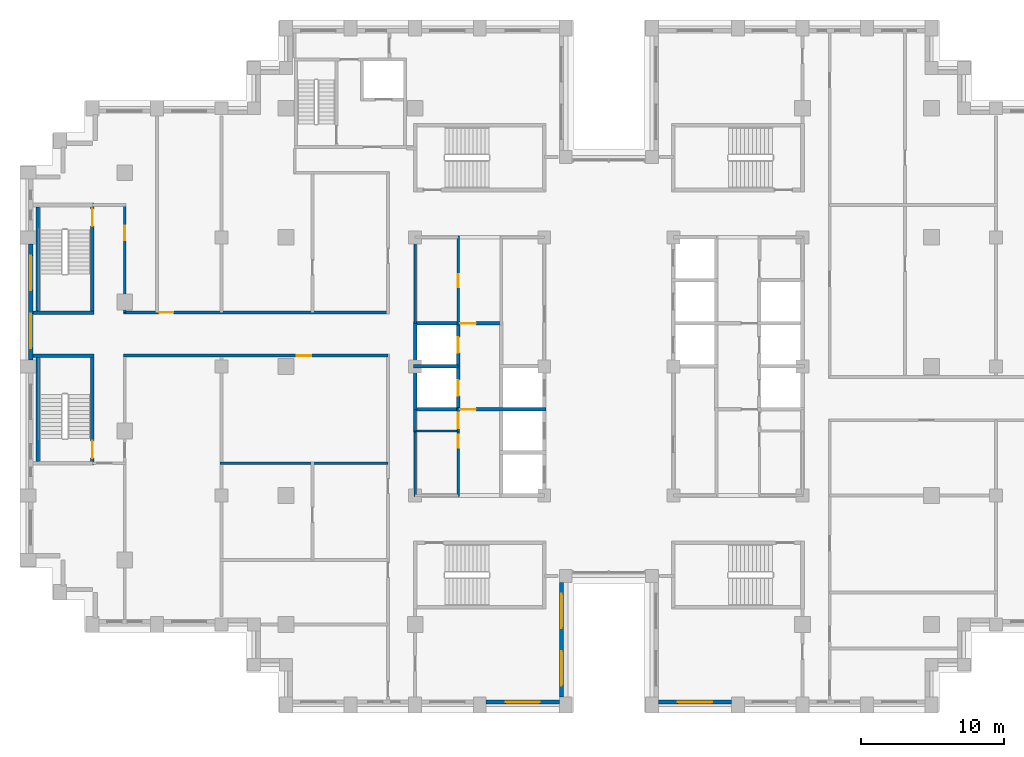
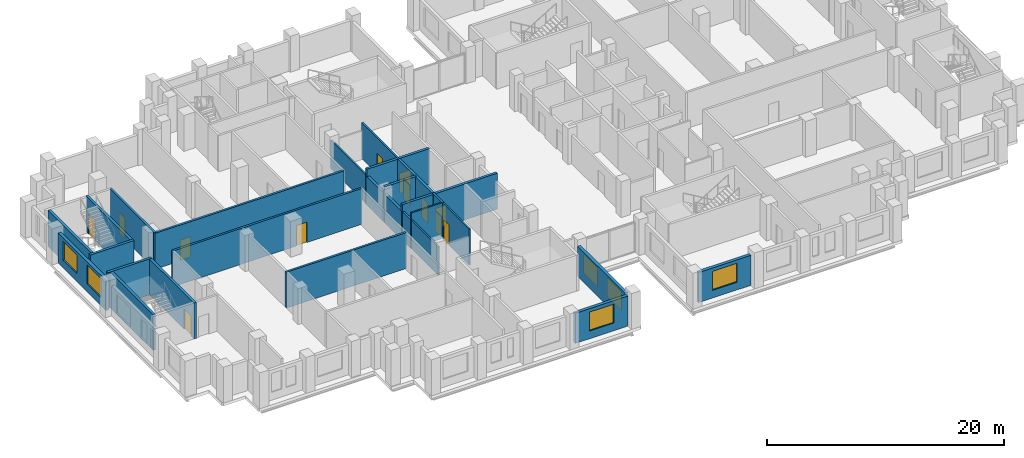
# One storey, part 7 of 15: 26 walls, 12 doors, 6 windows, 18 openings.
"""IFC4 building model written with IfcOpenShell, lengths in metres."""

from ifc_helpers import new_model, si_unit, direction, frame, frame_2d, origin, place, context, subcontext, project, spatial, rectangle, extrude, material, layer, layer_set, type_object, element, fill, save


model = new_model("IFC4")

# Units and contexts
model_context = context("Model", 3, precision=1e-05, world=origin(), true_north=direction((0.0, 1.0)))
body_context = subcontext(model_context, "Body", "Model", "MODEL_VIEW")
ifc_project = project(units=[si_unit("LENGTHUNIT", "METRE"), si_unit("AREAUNIT", "SQUARE_METRE"), si_unit("VOLUMEUNIT", "CUBIC_METRE"), si_unit("PLANEANGLEUNIT", "RADIAN"), si_unit("MASSUNIT", "GRAM", prefix="KILO")], contexts=[model_context])

# Site, building, storey
site_placement = place(None, origin())
site = spatial("IfcSite", under=ifc_project, at=site_placement, CompositionType="ELEMENT")
building_placement = place(site_placement, origin())
building = spatial("IfcBuilding", under=site, at=building_placement, Name="Corbelhall Arena Tower", CompositionType="ELEMENT")
storey_placement = place(building_placement, frame((0.0, 0.0, 166.0)))
storey = spatial("IfcBuildingStorey", under=building, at=storey_placement, Name="L33", CompositionType="ELEMENT", Elevation=166.0)

# Wall, openings, windows
ifc_material_1 = material(Name="Precast concrete C40/50 with granite facing", Category="masonry")
ifc_layer_1 = layer(ifc_material_1, 0.300048828125)
ifc_layer_set_1 = layer_set([ifc_layer_1], Name="EV-IW1 Infill panel 300")
wall_type_1 = type_object("IfcWallType", Name="EV-IW1 Infill panel 300", PredefinedType="SOLIDWALL", material=ifc_layer_set_1)
wall_1_placement = place(storey_placement, frame((-40.300048828125, 8.550048828125, 0.0), z_axis=(0.0, 0.0, 1.0), x_axis=(0.0, -1.0, 0.0)))
wall_1 = element("IfcWall", 1, at=wall_1_placement, inside=storey, type_object=wall_type_1, Name="Infill panel IW1", PredefinedType="SOLIDWALL", context=body_context, shape_type="SweptSolid", body=[
    extrude(rectangle(XDim=8.10009765625, YDim=0.300048828125, at=frame_2d((4.050048828125, 0.0))), origin(), (0.0, 0.0, 1.0), 3.10009765625),
])
opening_1_placement = place(wall_1_placement, frame((0.824951171875, 0.0, 0.800048828125)))
opening_1 = element("IfcOpeningElement", 2, at=opening_1_placement, cuts=wall_1, Name="Opening WN1", PredefinedType="OPENING", context=body_context, shape_type="SweptSolid", body=[
    extrude(rectangle(XDim=2.39990234375, YDim=1.949951171875, at=frame_2d((1.199951171875, 0.97509765625))), frame((0.0, 0.14990234375, 0.0), z_axis=(0.0, -1.0, 0.0), x_axis=(1.0, 0.0, 0.0)), (0.0, 0.0, 1.0), 0.300048828125),
])
opening_2_placement = place(wall_1_placement, frame((4.875, 0.0, 0.800048828125)))
opening_2 = element("IfcOpeningElement", 3, at=opening_2_placement, cuts=wall_1, Name="Opening WN1", PredefinedType="OPENING", context=body_context, shape_type="SweptSolid", body=[
    extrude(rectangle(XDim=2.39990234375, YDim=1.949951171875, at=frame_2d((1.199951171875, 0.97509765625))), frame((0.0, 0.14990234375, 0.0), z_axis=(0.0, -1.0, 0.0), x_axis=(1.0, 0.0, 0.0)), (0.0, 0.0, 1.0), 0.300048828125),
])
ifc_material_2 = material(Name="Aluminium black anodised", Category="aluminium")
window_type = type_object("IfcWindowType", Name="EV-WN1 Office window", PartitioningType="SINGLE_PANEL", PredefinedType="WINDOW", material=ifc_material_2)
window_1_placement = place(opening_1_placement, origin())
window_1 = element("IfcWindow", 4, at=window_1_placement, inside=storey, type_object=window_type, Name="Window WN1", OverallHeight=1.949951171875, OverallWidth=2.39990234375, PartitioningType="SINGLE_PANEL", PredefinedType="WINDOW", context=body_context, shape_type="SweptSolid", body=[
    extrude(rectangle(XDim=2.39990234375, YDim=1.949951171875, at=frame_2d((1.199951171875, 0.97509765625))), frame((0.0, 0.030029296875, 0.0), z_axis=(0.0, -1.0, 0.0), x_axis=(1.0, 0.0, 0.0)), (0.0, 0.0, 1.0), 0.06005859375),
])
fill(opening_1, window_1)
window_2_placement = place(opening_2_placement, origin())
window_2 = element("IfcWindow", 5, at=window_2_placement, inside=storey, type_object=window_type, Name="Window WN1", OverallHeight=1.949951171875, OverallWidth=2.39990234375, PartitioningType="SINGLE_PANEL", PredefinedType="WINDOW", context=body_context, shape_type="SweptSolid", body=[
    extrude(rectangle(XDim=2.39990234375, YDim=1.949951171875, at=frame_2d((1.199951171875, 0.97509765625))), frame((0.0, 0.030029296875, 0.0), z_axis=(0.0, -1.0, 0.0), x_axis=(1.0, 0.0, 0.0)), (0.0, 0.0, 1.0), 0.06005859375),
])
fill(opening_2, window_2)

# Wall, opening, window
wall_2_placement = place(storey_placement, frame((-8.550048828125, -23.39990234375, 0.0), z_axis=(0.0, 0.0, 1.0), x_axis=(1.0, 0.0, 0.0)))
wall_2 = element("IfcWall", 6, at=wall_2_placement, inside=storey, type_object=wall_type_1, Name="Infill panel IW1", PredefinedType="SOLIDWALL", context=body_context, shape_type="SweptSolid", body=[
    extrude(rectangle(XDim=5.10009765625, YDim=0.300048828125, at=frame_2d((2.550048828125, 0.0))), origin(), (0.0, 0.0, 1.0), 3.10009765625),
])
opening_3_placement = place(wall_2_placement, frame((1.35009765625, 0.0, 0.800048828125)))
opening_3 = element("IfcOpeningElement", 7, at=opening_3_placement, cuts=wall_2, Name="Opening WN1", PredefinedType="OPENING", context=body_context, shape_type="SweptSolid", body=[
    extrude(rectangle(XDim=2.39990234375, YDim=1.949951171875, at=frame_2d((1.199951171875, 0.97509765625))), frame((0.0, 0.14990234375, 0.0), z_axis=(0.0, -1.0, 0.0), x_axis=(1.0, 0.0, 0.0)), (0.0, 0.0, 1.0), 0.300048828125),
])
window_3_placement = place(opening_3_placement, origin())
window_3 = element("IfcWindow", 8, at=window_3_placement, inside=storey, type_object=window_type, Name="Window WN1", OverallHeight=1.949951171875, OverallWidth=2.39990234375, PartitioningType="SINGLE_PANEL", PredefinedType="WINDOW", context=body_context, shape_type="SweptSolid", body=[
    extrude(rectangle(XDim=2.39990234375, YDim=1.949951171875, at=frame_2d((1.199951171875, 0.97509765625))), frame((0.0, 0.030029296875, 0.0), z_axis=(0.0, -1.0, 0.0), x_axis=(1.0, 0.0, 0.0)), (0.0, 0.0, 1.0), 0.06005859375),
])
fill(opening_3, window_3)

# Wall, openings, windows
wall_3_placement = place(storey_placement, frame((-3.300048828125, -23.050048828125, 0.0), z_axis=(0.0, 0.0, 1.0), x_axis=(0.0, 1.0, 0.0)))
wall_3 = element("IfcWall", 9, at=wall_3_placement, inside=storey, type_object=wall_type_1, Name="Infill panel IW1", PredefinedType="SOLIDWALL", context=body_context, shape_type="SweptSolid", body=[
    extrude(rectangle(XDim=8.0, YDim=0.300048828125, at=frame_2d((4.0, 0.0))), origin(), (0.0, 0.0, 1.0), 3.10009765625),
])
opening_4_placement = place(wall_3_placement, frame((0.800048828125, 0.0, 0.800048828125)))
opening_4 = element("IfcOpeningElement", 10, at=opening_4_placement, cuts=wall_3, Name="Opening WN1", PredefinedType="OPENING", context=body_context, shape_type="SweptSolid", body=[
    extrude(rectangle(XDim=2.39990234375, YDim=1.949951171875, at=frame_2d((1.199951171875, 0.97509765625))), frame((0.0, 0.14990234375, 0.0), z_axis=(0.0, -1.0, 0.0), x_axis=(1.0, 0.0, 0.0)), (0.0, 0.0, 1.0), 0.300048828125),
])
opening_5_placement = place(wall_3_placement, frame((4.800048828125, 0.0, 0.800048828125)))
opening_5 = element("IfcOpeningElement", 11, at=opening_5_placement, cuts=wall_3, Name="Opening WN1", PredefinedType="OPENING", context=body_context, shape_type="SweptSolid", body=[
    extrude(rectangle(XDim=2.39990234375, YDim=1.949951171875, at=frame_2d((1.199951171875, 0.97509765625))), frame((0.0, 0.14990234375, 0.0), z_axis=(0.0, -1.0, 0.0), x_axis=(1.0, 0.0, 0.0)), (0.0, 0.0, 1.0), 0.300048828125),
])
window_4_placement = place(opening_4_placement, origin())
window_4 = element("IfcWindow", 12, at=window_4_placement, inside=storey, type_object=window_type, Name="Window WN1", OverallHeight=1.949951171875, OverallWidth=2.39990234375, PartitioningType="SINGLE_PANEL", PredefinedType="WINDOW", context=body_context, shape_type="SweptSolid", body=[
    extrude(rectangle(XDim=2.39990234375, YDim=1.949951171875, at=frame_2d((1.199951171875, 0.97509765625))), frame((0.0, 0.030029296875, 0.0), z_axis=(0.0, -1.0, 0.0), x_axis=(1.0, 0.0, 0.0)), (0.0, 0.0, 1.0), 0.06005859375),
])
fill(opening_4, window_4)
window_5_placement = place(opening_5_placement, origin())
window_5 = element("IfcWindow", 13, at=window_5_placement, inside=storey, type_object=window_type, Name="Window WN1", OverallHeight=1.949951171875, OverallWidth=2.39990234375, PartitioningType="SINGLE_PANEL", PredefinedType="WINDOW", context=body_context, shape_type="SweptSolid", body=[
    extrude(rectangle(XDim=2.39990234375, YDim=1.949951171875, at=frame_2d((1.199951171875, 0.97509765625))), frame((0.0, 0.030029296875, 0.0), z_axis=(0.0, -1.0, 0.0), x_axis=(1.0, 0.0, 0.0)), (0.0, 0.0, 1.0), 0.06005859375),
])
fill(opening_5, window_5)

# Wall, opening, window
wall_4_placement = place(storey_placement, frame((3.449951171875, -23.39990234375, 0.0), z_axis=(0.0, 0.0, 1.0), x_axis=(1.0, 0.0, 0.0)))
wall_4 = element("IfcWall", 14, at=wall_4_placement, inside=storey, type_object=wall_type_1, Name="Infill panel IW1", PredefinedType="SOLIDWALL", context=body_context, shape_type="SweptSolid", body=[
    extrude(rectangle(XDim=5.10009765625, YDim=0.300048828125, at=frame_2d((2.550048828125, 0.0))), origin(), (0.0, 0.0, 1.0), 3.10009765625),
])
opening_6_placement = place(wall_4_placement, frame((1.35009765625, 0.0, 0.800048828125)))
opening_6 = element("IfcOpeningElement", 15, at=opening_6_placement, cuts=wall_4, Name="Opening WN1", PredefinedType="OPENING", context=body_context, shape_type="SweptSolid", body=[
    extrude(rectangle(XDim=2.39990234375, YDim=1.949951171875, at=frame_2d((1.199951171875, 0.97509765625))), frame((0.0, 0.14990234375, 0.0), z_axis=(0.0, -1.0, 0.0), x_axis=(1.0, 0.0, 0.0)), (0.0, 0.0, 1.0), 0.300048828125),
])
window_6_placement = place(opening_6_placement, origin())
window_6 = element("IfcWindow", 16, at=window_6_placement, inside=storey, type_object=window_type, Name="Window WN1", OverallHeight=1.949951171875, OverallWidth=2.39990234375, PartitioningType="SINGLE_PANEL", PredefinedType="WINDOW", context=body_context, shape_type="SweptSolid", body=[
    extrude(rectangle(XDim=2.39990234375, YDim=1.949951171875, at=frame_2d((1.199951171875, 0.97509765625))), frame((0.0, 0.030029296875, 0.0), z_axis=(0.0, -1.0, 0.0), x_axis=(1.0, 0.0, 0.0)), (0.0, 0.0, 1.0), 0.06005859375),
])
fill(opening_6, window_6)

# Wall, opening, door
ifc_material_3 = material(Name="Gypsum board on steel stud, acoustic", Category="steel")
ifc_layer_2 = layer(ifc_material_3, 0.199951171875)
ifc_layer_set_2 = layer_set([ifc_layer_2], Name="IN-W-DM200")
wall_type_2 = type_object("IfcWallType", Name="IN-W-DM200", PredefinedType="PARTITIONING", material=ifc_layer_set_2)
wall_5_placement = place(storey_placement, frame((-33.85009765625, 3.75, 0.0), z_axis=(0.0, 0.0, 1.0), x_axis=(1.0, 0.0, 0.0)))
wall_5 = element("IfcWall", 17, at=wall_5_placement, inside=storey, type_object=wall_type_2, Name="Partition 002", PredefinedType="PARTITIONING", context=body_context, shape_type="SweptSolid", body=[
    extrude(rectangle(XDim=18.4501953125, YDim=0.199951171875, at=frame_2d((9.22509765625, 0.0))), origin(), (0.0, 0.0, 1.0), 3.699951171875),
])
opening_7_placement = place(wall_5_placement, frame((2.5, 0.0, 0.0)))
opening_7 = element("IfcOpeningElement", 18, at=opening_7_placement, cuts=wall_5, Name="Opening 09040", PredefinedType="OPENING", context=body_context, shape_type="SweptSolid", body=[
    extrude(rectangle(XDim=1.0, YDim=2.10009765625, at=frame_2d((0.5, 1.050048828125))), frame((0.0, 0.10009765625, 0.0), z_axis=(0.0, -1.0, 0.0), x_axis=(1.0, 0.0, 0.0)), (0.0, 0.0, 1.0), 0.199951171875),
])
ifc_material_4 = material(Name="Steel door set", Category="steel")
door_type_1 = type_object("IfcDoorType", Name="IN-D-SW100", OperationType="NOTDEFINED", PredefinedType="DOOR", material=ifc_material_4)
door_1_placement = place(opening_7_placement, origin())
door_1 = element("IfcDoor", 19, at=door_1_placement, inside=storey, type_object=door_type_1, Name="Door 040", OperationType="SINGLE_SWING_LEFT", OverallHeight=2.10009765625, OverallWidth=1.0, PredefinedType="DOOR", context=body_context, shape_type="SweptSolid", body=[
    extrude(rectangle(XDim=1.0, YDim=2.10009765625, at=frame_2d((0.5, 1.050048828125))), frame((0.0, 0.02490234375, 0.0), z_axis=(0.0, -1.0, 0.0), x_axis=(1.0, 0.0, 0.0)), (0.0, 0.0, 1.0), 0.050048828125),
])
fill(opening_7, door_1)

wall_6_placement = place(storey_placement, frame((-33.75, 11.25, 0.0), z_axis=(0.0, 0.0, 1.0), x_axis=(0.0, -1.0, 0.0)))
wall_6 = element("IfcWall", 20, at=wall_6_placement, inside=storey, type_object=wall_type_2, Name="Partition 004", PredefinedType="PARTITIONING", context=body_context, shape_type="SweptSolid", body=[
    extrude(rectangle(XDim=7.5, YDim=0.199951171875, at=frame_2d((3.75, 0.0))), origin(), (0.0, 0.0, 1.0), 3.699951171875),
])
opening_8_placement = place(wall_6_placement, frame((1.449951171875, 0.0, 0.0)))
opening_8 = element("IfcOpeningElement", 21, at=opening_8_placement, cuts=wall_6, Name="Opening 09039", PredefinedType="OPENING", context=body_context, shape_type="SweptSolid", body=[
    extrude(rectangle(XDim=1.0, YDim=2.10009765625, at=frame_2d((0.5, 1.050048828125))), frame((0.0, 0.10009765625, 0.0), z_axis=(0.0, -1.0, 0.0), x_axis=(1.0, 0.0, 0.0)), (0.0, 0.0, 1.0), 0.199951171875),
])
door_2_placement = place(opening_8_placement, origin())
door_2 = element("IfcDoor", 22, at=door_2_placement, inside=storey, type_object=door_type_1, Name="Door 039", OperationType="SINGLE_SWING_RIGHT", OverallHeight=2.10009765625, OverallWidth=1.0, PredefinedType="DOOR", context=body_context, shape_type="SweptSolid", body=[
    extrude(rectangle(XDim=1.0, YDim=2.10009765625, at=frame_2d((0.5, 1.050048828125))), frame((0.0, 0.02490234375, 0.0), z_axis=(0.0, -1.0, 0.0), x_axis=(1.0, 0.0, 0.0)), (0.0, 0.0, 1.0), 0.050048828125),
])
fill(opening_8, door_2)

# Wall
wall_7_placement = place(storey_placement, frame((-27.10009765625, -6.75, 0.0), z_axis=(0.0, 0.0, 1.0), x_axis=(1.0, 0.0, 0.0)))
element("IfcWall", 23, at=wall_7_placement, inside=storey, type_object=wall_type_2, Name="Partition 008", PredefinedType="PARTITIONING", context=body_context, shape_type="SweptSolid", body=[
    extrude(rectangle(XDim=11.7001953125, YDim=0.199951171875, at=frame_2d((5.85009765625, 0.0))), origin(), (0.0, 0.0, 1.0), 3.699951171875),
])

# Wall, opening, door
wall_8_placement = place(storey_placement, frame((-15.39990234375, 0.75, 0.0), z_axis=(0.0, 0.0, 1.0), x_axis=(-1.0, 0.0, 0.0)))
wall_8 = element("IfcWall", 24, at=wall_8_placement, inside=storey, type_object=wall_type_2, Name="Partition 011", PredefinedType="PARTITIONING", context=body_context, shape_type="SweptSolid", body=[
    extrude(rectangle(XDim=18.4501953125, YDim=0.199951171875, at=frame_2d((9.22509765625, 0.0))), origin(), (0.0, 0.0, 1.0), 3.699951171875),
])
opening_9_placement = place(wall_8_placement, frame((5.35009765625, 0.0, 0.0)))
opening_9 = element("IfcOpeningElement", 25, at=opening_9_placement, cuts=wall_8, Name="Opening 09030", PredefinedType="OPENING", context=body_context, shape_type="SweptSolid", body=[
    extrude(rectangle(XDim=1.0, YDim=2.10009765625, at=frame_2d((0.5, 1.050048828125))), frame((0.0, 0.10009765625, 0.0), z_axis=(0.0, -1.0, 0.0), x_axis=(1.0, 0.0, 0.0)), (0.0, 0.0, 1.0), 0.199951171875),
])
door_3_placement = place(opening_9_placement, origin())
door_3 = element("IfcDoor", 26, at=door_3_placement, inside=storey, type_object=door_type_1, Name="Door 030", OperationType="SINGLE_SWING_LEFT", OverallHeight=2.10009765625, OverallWidth=1.0, PredefinedType="DOOR", context=body_context, shape_type="SweptSolid", body=[
    extrude(rectangle(XDim=1.0, YDim=2.10009765625, at=frame_2d((0.5, 1.050048828125))), frame((0.0, 0.02490234375, 0.0), z_axis=(0.0, -1.0, 0.0), x_axis=(1.0, 0.0, 0.0)), (0.0, 0.0, 1.0), 0.050048828125),
])
fill(opening_9, door_3)

ifc_material_5 = material(Name="Concrete block wall", Category="concrete")
ifc_layer_3 = layer(ifc_material_5, 0.199951171875)
ifc_layer_set_3 = layer_set([ifc_layer_3], Name="IN-W-RS200")
wall_type_3 = type_object("IfcWallType", Name="IN-W-RS200", PredefinedType="SOLIDWALL", material=ifc_layer_set_3)
wall_9_placement = place(storey_placement, frame((-10.5, -4.574951171875, 0.0), z_axis=(0.0, 0.0, 1.0), x_axis=(0.0, 1.0, 0.0)))
wall_9 = element("IfcWall", 27, at=wall_9_placement, inside=storey, type_object=wall_type_3, Name="Partition 045", PredefinedType="SOLIDWALL", context=body_context, shape_type="SweptSolid", body=[
    extrude(rectangle(XDim=1.699951171875, YDim=0.199951171875, at=frame_2d((0.85009765625, 0.0))), origin(), (0.0, 0.0, 1.0), 3.699951171875),
])
opening_10_placement = place(wall_9_placement, frame((0.25, 0.0, 0.0)))
opening_10 = element("IfcOpeningElement", 28, at=opening_10_placement, cuts=wall_9, Name="Opening 09005", PredefinedType="OPENING", context=body_context, shape_type="SweptSolid", body=[
    extrude(rectangle(XDim=1.10009765625, YDim=2.10009765625, at=frame_2d((0.550048828125, 1.050048828125))), frame((0.0, 0.10009765625, 0.0), z_axis=(0.0, -1.0, 0.0), x_axis=(1.0, 0.0, 0.0)), (0.0, 0.0, 1.0), 0.199951171875),
])
door_type_2 = type_object("IfcDoorType", Name="IN-D-FD110", OperationType="NOTDEFINED", PredefinedType="DOOR", material=ifc_material_4)
door_4_placement = place(opening_10_placement, origin())
door_4 = element("IfcDoor", 29, at=door_4_placement, inside=storey, type_object=door_type_2, Name="Door 005", OperationType="SINGLE_SWING_RIGHT", OverallHeight=2.10009765625, OverallWidth=1.10009765625, PredefinedType="DOOR", context=body_context, shape_type="SweptSolid", body=[
    extrude(rectangle(XDim=1.10009765625, YDim=2.10009765625, at=frame_2d((0.550048828125, 1.050048828125))), frame((0.0, 0.02490234375, 0.0), z_axis=(0.0, -1.0, 0.0), x_axis=(1.0, 0.0, 0.0)), (0.0, 0.0, 1.0), 0.050048828125),
])
fill(opening_10, door_4)

# Walls
ifc_layer_4 = layer(ifc_material_5, 0.199951171875)
ifc_layer_set_4 = layer_set([ifc_layer_4], Name="IN-W-RS200 under beam 762 mm")
wall_type_4 = type_object("IfcWallType", Name="IN-W-RS200 under beam 762 mm", PredefinedType="SOLIDWALL", material=ifc_layer_set_4)
wall_10_placement = place(storey_placement, frame((-13.5, -4.5, 0.0), z_axis=(0.0, 0.0, 1.0), x_axis=(0.0, 1.0, 0.0)))
element("IfcWall", 30, at=wall_10_placement, inside=storey, type_object=wall_type_4, Name="Partition 044", PredefinedType="SOLIDWALL", context=body_context, shape_type="SweptSolid", body=[
    extrude(rectangle(XDim=1.5, YDim=0.199951171875, at=frame_2d((0.75, 0.0))), origin(), (0.0, 0.0, 1.0), 2.93798828125),
])
ifc_material_6 = material(Name="Concrete C40/50", Category="concrete")
ifc_layer_5 = layer(ifc_material_6, 0.25)
ifc_layer_set_5 = layer_set([ifc_layer_5], Name="IN-W-SH250")
wall_type_5 = type_object("IfcWallType", Name="IN-W-SH250", PredefinedType="SOLIDWALL", material=ifc_layer_set_5)
wall_11_placement = place(storey_placement, frame((-13.625, 0.0, 0.0), z_axis=(0.0, 0.0, 1.0), x_axis=(1.0, 0.0, 0.0)))
element("IfcWall", 31, at=wall_11_placement, inside=storey, type_object=wall_type_5, Name="Shaft wall 057", PredefinedType="SOLIDWALL", context=body_context, shape_type="SweptSolid", body=[
    extrude(rectangle(XDim=3.125, YDim=0.25, at=frame_2d((1.5625, 0.0))), origin(), (0.0, 0.0, 1.0), 3.699951171875),
])

# Wall, opening, door
wall_12_placement = place(storey_placement, frame((-13.625, 3.0, 0.0), z_axis=(0.0, 0.0, 1.0), x_axis=(1.0, 0.0, 0.0)))
wall_12 = element("IfcWall", 32, at=wall_12_placement, inside=storey, type_object=wall_type_5, Name="Shaft wall 058", PredefinedType="SOLIDWALL", context=body_context, shape_type="SweptSolid", body=[
    extrude(rectangle(XDim=6.125, YDim=0.25, at=frame_2d((3.0625, 0.0))), origin(), (0.0, 0.0, 1.0), 3.699951171875),
])
opening_11_placement = place(wall_12_placement, frame((3.25, 0.0, 0.0)))
opening_11 = element("IfcOpeningElement", 33, at=opening_11_placement, cuts=wall_12, Name="Opening 09003", PredefinedType="OPENING", context=body_context, shape_type="SweptSolid", body=[
    extrude(rectangle(XDim=1.10009765625, YDim=2.10009765625, at=frame_2d((0.550048828125, 1.050048828125))), frame((0.0, 0.125, 0.0), z_axis=(0.0, -1.0, 0.0), x_axis=(1.0, 0.0, 0.0)), (0.0, 0.0, 1.0), 0.25),
])
door_5_placement = place(opening_11_placement, origin())
door_5 = element("IfcDoor", 34, at=door_5_placement, inside=storey, type_object=door_type_2, Name="Door 003", OperationType="SINGLE_SWING_RIGHT", OverallHeight=2.10009765625, OverallWidth=1.10009765625, PredefinedType="DOOR", context=body_context, shape_type="SweptSolid", body=[
    extrude(rectangle(XDim=1.10009765625, YDim=2.10009765625, at=frame_2d((0.550048828125, 1.050048828125))), frame((0.0, 0.02490234375, 0.0), z_axis=(0.0, -1.0, 0.0), x_axis=(1.0, 0.0, 0.0)), (0.0, 0.0, 1.0), 0.050048828125),
])
fill(opening_11, door_5)

wall_13_placement = place(storey_placement, frame((-13.625, -3.0, 0.0), z_axis=(0.0, 0.0, 1.0), x_axis=(1.0, 0.0, 0.0)))
wall_13 = element("IfcWall", 35, at=wall_13_placement, inside=storey, type_object=wall_type_5, Name="Shaft wall 060", PredefinedType="SOLIDWALL", context=body_context, shape_type="SweptSolid", body=[
    extrude(rectangle(XDim=9.25, YDim=0.25, at=frame_2d((4.625, 0.0))), origin(), (0.0, 0.0, 1.0), 3.699951171875),
])
opening_12_placement = place(wall_13_placement, frame((3.25, 0.0, 0.0)))
opening_12 = element("IfcOpeningElement", 36, at=opening_12_placement, cuts=wall_13, Name="Opening 09002", PredefinedType="OPENING", context=body_context, shape_type="SweptSolid", body=[
    extrude(rectangle(XDim=1.10009765625, YDim=2.10009765625, at=frame_2d((0.550048828125, 1.050048828125))), frame((0.0, 0.125, 0.0), z_axis=(0.0, -1.0, 0.0), x_axis=(1.0, 0.0, 0.0)), (0.0, 0.0, 1.0), 0.25),
])
door_6_placement = place(opening_12_placement, origin())
door_6 = element("IfcDoor", 37, at=door_6_placement, inside=storey, type_object=door_type_2, Name="Door 002", OperationType="SINGLE_SWING_LEFT", OverallHeight=2.10009765625, OverallWidth=1.10009765625, PredefinedType="DOOR", context=body_context, shape_type="SweptSolid", body=[
    extrude(rectangle(XDim=1.10009765625, YDim=2.10009765625, at=frame_2d((0.550048828125, 1.050048828125))), frame((0.0, 0.02490234375, 0.0), z_axis=(0.0, -1.0, 0.0), x_axis=(1.0, 0.0, 0.0)), (0.0, 0.0, 1.0), 0.050048828125),
])
fill(opening_12, door_6)

# Wall, openings, doors
wall_14_placement = place(storey_placement, frame((-10.5, -3.125, 0.0), z_axis=(0.0, 0.0, 1.0), x_axis=(0.0, 1.0, 0.0)))
wall_14 = element("IfcWall", 38, at=wall_14_placement, inside=storey, type_object=wall_type_5, Name="Shaft wall 061", PredefinedType="SOLIDWALL", context=body_context, shape_type="SweptSolid", body=[
    extrude(rectangle(XDim=6.25, YDim=0.25, at=frame_2d((3.125, 0.0))), origin(), (0.0, 0.0, 1.0), 3.699951171875),
])
opening_13_placement = place(wall_14_placement, frame((1.074951171875, 0.0, 0.0)))
opening_13 = element("IfcOpeningElement", 39, at=opening_13_placement, cuts=wall_14, Name="Opening LD", PredefinedType="OPENING", context=body_context, shape_type="SweptSolid", body=[
    extrude(rectangle(XDim=1.10009765625, YDim=2.10009765625, at=frame_2d((0.550048828125, 1.050048828125))), frame((0.0, 0.125, 0.0), z_axis=(0.0, -1.0, 0.0), x_axis=(1.0, 0.0, 0.0)), (0.0, 0.0, 1.0), 0.25),
])
opening_14_placement = place(wall_14_placement, frame((4.074951171875, 0.0, 0.0)))
opening_14 = element("IfcOpeningElement", 40, at=opening_14_placement, cuts=wall_14, Name="Opening LD", PredefinedType="OPENING", context=body_context, shape_type="SweptSolid", body=[
    extrude(rectangle(XDim=1.10009765625, YDim=2.10009765625, at=frame_2d((0.550048828125, 1.050048828125))), frame((0.0, 0.125, 0.0), z_axis=(0.0, -1.0, 0.0), x_axis=(1.0, 0.0, 0.0)), (0.0, 0.0, 1.0), 0.25),
])
door_type_3 = type_object("IfcDoorType", Name="IN-D-LD110", OperationType="NOTDEFINED", PredefinedType="DOOR", material=ifc_material_4)
door_7_placement = place(opening_13_placement, origin())
door_7 = element("IfcDoor", 41, at=door_7_placement, inside=storey, type_object=door_type_3, Name="Landing door W3", OperationType="SLIDING_TO_LEFT", OverallHeight=2.10009765625, OverallWidth=1.10009765625, PredefinedType="DOOR", context=body_context, shape_type="SweptSolid", body=[
    extrude(rectangle(XDim=1.10009765625, YDim=2.10009765625, at=frame_2d((0.550048828125, 1.050048828125))), frame((0.0, 0.02490234375, 0.0), z_axis=(0.0, -1.0, 0.0), x_axis=(1.0, 0.0, 0.0)), (0.0, 0.0, 1.0), 0.050048828125),
])
fill(opening_13, door_7)
door_8_placement = place(opening_14_placement, origin())
door_8 = element("IfcDoor", 42, at=door_8_placement, inside=storey, type_object=door_type_3, Name="Landing door W4", OperationType="SLIDING_TO_LEFT", OverallHeight=2.10009765625, OverallWidth=1.10009765625, PredefinedType="DOOR", context=body_context, shape_type="SweptSolid", body=[
    extrude(rectangle(XDim=1.10009765625, YDim=2.10009765625, at=frame_2d((0.550048828125, 1.050048828125))), frame((0.0, 0.02490234375, 0.0), z_axis=(0.0, -1.0, 0.0), x_axis=(1.0, 0.0, 0.0)), (0.0, 0.0, 1.0), 0.050048828125),
])
fill(opening_14, door_8)

# Walls
ifc_layer_6 = layer(ifc_material_6, 0.25)
ifc_layer_set_6 = layer_set([ifc_layer_6], Name="IN-W-SH250 under beam 762 mm")
wall_type_6 = type_object("IfcWallType", Name="IN-W-SH250 under beam 762 mm", PredefinedType="SOLIDWALL", material=ifc_layer_set_6)
wall_15_placement = place(storey_placement, frame((-13.5, -3.0, 0.0), z_axis=(0.0, 0.0, 1.0), x_axis=(0.0, 1.0, 0.0)))
element("IfcWall", 43, at=wall_15_placement, inside=storey, type_object=wall_type_6, Name="Shaft wall 059", PredefinedType="SOLIDWALL", context=body_context, shape_type="SweptSolid", body=[
    extrude(rectangle(XDim=6.0, YDim=0.25, at=frame_2d((3.0, 0.0))), origin(), (0.0, 0.0, 1.0), 2.93798828125),
])
ifc_layer_7 = layer(ifc_material_6, 0.25)
ifc_layer_set_7 = layer_set([ifc_layer_7], Name="IN-W-ST250")
wall_type_7 = type_object("IfcWallType", Name="IN-W-ST250", PredefinedType="SOLIDWALL", material=ifc_layer_set_7)
wall_16_placement = place(storey_placement, frame((-40.14990234375, 3.75, 0.0), z_axis=(0.0, 0.0, 1.0), x_axis=(1.0, 0.0, 0.0)))
element("IfcWall", 44, at=wall_16_placement, inside=storey, type_object=wall_type_7, Name="Shaft wall 078", PredefinedType="SOLIDWALL", context=body_context, shape_type="SweptSolid", body=[
    extrude(rectangle(XDim=4.27490234375, YDim=0.25, at=frame_2d((2.137451171875, 0.0))), origin(), (0.0, 0.0, 1.0), 3.699951171875),
])

# Wall, opening, door
wall_17_placement = place(storey_placement, frame((-36.0, 0.75, 0.0), z_axis=(0.0, 0.0, 1.0), x_axis=(0.0, -1.0, 0.0)))
wall_17 = element("IfcWall", 45, at=wall_17_placement, inside=storey, type_object=wall_type_7, Name="Shaft wall 081", PredefinedType="SOLIDWALL", context=body_context, shape_type="SweptSolid", body=[
    extrude(rectangle(XDim=7.625, YDim=0.25, at=frame_2d((3.8125, 0.0))), origin(), (0.0, 0.0, 1.0), 3.699951171875),
])
opening_15_placement = place(wall_17_placement, frame((5.949951171875, 0.0, 0.0)))
opening_15 = element("IfcOpeningElement", 46, at=opening_15_placement, cuts=wall_17, Name="Opening 09017", PredefinedType="OPENING", context=body_context, shape_type="SweptSolid", body=[
    extrude(rectangle(XDim=1.199951171875, YDim=2.10009765625, at=frame_2d((0.60009765625, 1.050048828125))), frame((0.0, 0.125, 0.0), z_axis=(0.0, -1.0, 0.0), x_axis=(1.0, 0.0, 0.0)), (0.0, 0.0, 1.0), 0.25),
])
door_type_4 = type_object("IfcDoorType", Name="IN-D-ST120", OperationType="NOTDEFINED", PredefinedType="DOOR", material=ifc_material_4)
door_9_placement = place(opening_15_placement, origin())
door_9 = element("IfcDoor", 47, at=door_9_placement, inside=storey, type_object=door_type_4, Name="Door 017", OperationType="SINGLE_SWING_RIGHT", OverallHeight=2.10009765625, OverallWidth=1.199951171875, PredefinedType="DOOR", context=body_context, shape_type="SweptSolid", body=[
    extrude(rectangle(XDim=1.199951171875, YDim=2.10009765625, at=frame_2d((0.60009765625, 1.050048828125))), frame((0.0, 0.02490234375, 0.0), z_axis=(0.0, -1.0, 0.0), x_axis=(1.0, 0.0, 0.0)), (0.0, 0.0, 1.0), 0.050048828125),
])
fill(opening_15, door_9)

wall_18_placement = place(storey_placement, frame((-36.0, 11.375, 0.0), z_axis=(0.0, 0.0, 1.0), x_axis=(0.0, -1.0, 0.0)))
wall_18 = element("IfcWall", 48, at=wall_18_placement, inside=storey, type_object=wall_type_7, Name="Shaft wall 082", PredefinedType="SOLIDWALL", context=body_context, shape_type="SweptSolid", body=[
    extrude(rectangle(XDim=7.625, YDim=0.25, at=frame_2d((3.8125, 0.0))), origin(), (0.0, 0.0, 1.0), 3.699951171875),
])
opening_16_placement = place(wall_18_placement, frame((0.39990234375, 0.0, 0.0)))
opening_16 = element("IfcOpeningElement", 49, at=opening_16_placement, cuts=wall_18, Name="Opening 09016", PredefinedType="OPENING", context=body_context, shape_type="SweptSolid", body=[
    extrude(rectangle(XDim=1.199951171875, YDim=2.10009765625, at=frame_2d((0.60009765625, 1.050048828125))), frame((0.0, 0.125, 0.0), z_axis=(0.0, -1.0, 0.0), x_axis=(1.0, 0.0, 0.0)), (0.0, 0.0, 1.0), 0.25),
])
door_10_placement = place(opening_16_placement, origin())
door_10 = element("IfcDoor", 50, at=door_10_placement, inside=storey, type_object=door_type_4, Name="Door 016", OperationType="SINGLE_SWING_LEFT", OverallHeight=2.10009765625, OverallWidth=1.199951171875, PredefinedType="DOOR", context=body_context, shape_type="SweptSolid", body=[
    extrude(rectangle(XDim=1.199951171875, YDim=2.10009765625, at=frame_2d((0.60009765625, 1.050048828125))), frame((0.0, 0.02490234375, 0.0), z_axis=(0.0, -1.0, 0.0), x_axis=(1.0, 0.0, 0.0)), (0.0, 0.0, 1.0), 0.050048828125),
])
fill(opening_16, door_10)

# Walls
wall_19_placement = place(storey_placement, frame((-35.875, 0.75, 0.0), z_axis=(0.0, 0.0, 1.0), x_axis=(-1.0, 0.0, 0.0)))
element("IfcWall", 51, at=wall_19_placement, inside=storey, type_object=wall_type_7, Name="Shaft wall 083", PredefinedType="SOLIDWALL", context=body_context, shape_type="SweptSolid", body=[
    extrude(rectangle(XDim=4.27490234375, YDim=0.25, at=frame_2d((2.137451171875, 0.0))), origin(), (0.0, 0.0, 1.0), 3.699951171875),
])
for number, where, z_axis, x_axis, name in (
    (52, (-39.824951171875, 3.875, 0.0), (0.0, 0.0, 1.0), (0.0, 1.0, 0.0), "Shaft wall SC1 facade side"),
    (53, (-39.824951171875, -6.625, 0.0), (0.0, 0.0, 1.0), (0.0, 1.0, 0.0), "Shaft wall SC2 facade side"),
):
    element("IfcWall", number, at=place(storey_placement, frame(where, z_axis=z_axis, x_axis=x_axis)), inside=storey, type_object=wall_type_7, Name=name, PredefinedType="SOLIDWALL", context=body_context, shape_type="SweptSolid", body=[
        extrude(rectangle(XDim=7.25, YDim=0.25, at=frame_2d((3.625, 0.0))), origin(), (0.0, 0.0, 1.0), 3.699951171875),
    ])
ifc_material_7 = material(Name="Gypsum board on steel stud, moisture resistant", Category="steel")
ifc_layer_8 = layer(ifc_material_7, 0.14990234375)
ifc_layer_set_8 = layer_set([ifc_layer_8], Name="IN-W-WC150")
wall_type_8 = type_object("IfcWallType", Name="IN-W-WC150", PredefinedType="PARTITIONING", material=ifc_layer_set_8)
wall_20_placement = place(storey_placement, frame((-13.60009765625, -4.5, 0.0), z_axis=(0.0, 0.0, 1.0), x_axis=(1.0, 0.0, 0.0)))
element("IfcWall", 54, at=wall_20_placement, inside=storey, type_object=wall_type_8, Name="Partition 106", PredefinedType="PARTITIONING", context=body_context, shape_type="SweptSolid", body=[
    extrude(rectangle(XDim=3.10009765625, YDim=0.14990234375, at=frame_2d((1.550048828125, 0.0))), origin(), (0.0, 0.0, 1.0), 3.699951171875),
])

# Wall, opening, door
wall_21_placement = place(storey_placement, frame((-10.5, -9.074951171875, 0.0), z_axis=(0.0, 0.0, 1.0), x_axis=(0.0, 1.0, 0.0)))
wall_21 = element("IfcWall", 55, at=wall_21_placement, inside=storey, type_object=wall_type_8, Name="Partition 110", PredefinedType="PARTITIONING", context=body_context, shape_type="SweptSolid", body=[
    extrude(rectangle(XDim=4.64990234375, YDim=0.14990234375, at=frame_2d((2.324951171875, 0.0))), origin(), (0.0, 0.0, 1.0), 3.699951171875),
])
opening_17_placement = place(wall_21_placement, frame((3.39990234375, 0.0, 0.0)))
opening_17 = element("IfcOpeningElement", 56, at=opening_17_placement, cuts=wall_21, Name="Opening 09004", PredefinedType="OPENING", context=body_context, shape_type="SweptSolid", body=[
    extrude(rectangle(XDim=0.89990234375, YDim=2.10009765625, at=frame_2d((0.449951171875, 1.050048828125))), frame((0.0, 0.074951171875, 0.0), z_axis=(0.0, -1.0, 0.0), x_axis=(1.0, 0.0, 0.0)), (0.0, 0.0, 1.0), 0.14990234375),
])
ifc_material_8 = material(Name="Timber door set", Category="wood")
door_type_5 = type_object("IfcDoorType", Name="IN-D-SW90", OperationType="NOTDEFINED", PredefinedType="DOOR", material=ifc_material_8)
door_11_placement = place(opening_17_placement, origin())
door_11 = element("IfcDoor", 57, at=door_11_placement, inside=storey, type_object=door_type_5, Name="Door 004", OperationType="SINGLE_SWING_LEFT", OverallHeight=2.10009765625, OverallWidth=0.89990234375, PredefinedType="DOOR", context=body_context, shape_type="SweptSolid", body=[
    extrude(rectangle(XDim=0.89990234375, YDim=2.10009765625, at=frame_2d((0.449951171875, 1.050048828125))), frame((0.0, 0.02490234375, 0.0), z_axis=(0.0, -1.0, 0.0), x_axis=(1.0, 0.0, 0.0)), (0.0, 0.0, 1.0), 0.050048828125),
])
fill(opening_17, door_11)

wall_22_placement = place(storey_placement, frame((-10.5, 2.875, 0.0), z_axis=(0.0, 0.0, 1.0), x_axis=(0.0, 1.0, 0.0)))
wall_22 = element("IfcWall", 58, at=wall_22_placement, inside=storey, type_object=wall_type_8, Name="Partition 112", PredefinedType="PARTITIONING", context=body_context, shape_type="SweptSolid", body=[
    extrude(rectangle(XDim=6.199951171875, YDim=0.14990234375, at=frame_2d((3.10009765625, 0.0))), origin(), (0.0, 0.0, 1.0), 3.699951171875),
])
opening_18_placement = place(wall_22_placement, frame((2.64990234375, 0.0, 0.0)))
opening_18 = element("IfcOpeningElement", 59, at=opening_18_placement, cuts=wall_22, Name="Opening 09006", PredefinedType="OPENING", context=body_context, shape_type="SweptSolid", body=[
    extrude(rectangle(XDim=0.89990234375, YDim=2.10009765625, at=frame_2d((0.449951171875, 1.050048828125))), frame((0.0, 0.074951171875, 0.0), z_axis=(0.0, -1.0, 0.0), x_axis=(1.0, 0.0, 0.0)), (0.0, 0.0, 1.0), 0.14990234375),
])
door_12_placement = place(opening_18_placement, origin())
door_12 = element("IfcDoor", 60, at=door_12_placement, inside=storey, type_object=door_type_5, Name="Door 006", OperationType="SINGLE_SWING_LEFT", OverallHeight=2.10009765625, OverallWidth=0.89990234375, PredefinedType="DOOR", context=body_context, shape_type="SweptSolid", body=[
    extrude(rectangle(XDim=0.89990234375, YDim=2.10009765625, at=frame_2d((0.449951171875, 1.050048828125))), frame((0.0, 0.02490234375, 0.0), z_axis=(0.0, -1.0, 0.0), x_axis=(1.0, 0.0, 0.0)), (0.0, 0.0, 1.0), 0.050048828125),
])
fill(opening_18, door_12)

# Walls
ifc_layer_9 = layer(ifc_material_7, 0.14990234375)
ifc_layer_set_9 = layer_set([ifc_layer_9], Name="IN-W-WC150 under beam 762 mm")
wall_type_9 = type_object("IfcWallType", Name="IN-W-WC150 under beam 762 mm", PredefinedType="PARTITIONING", material=ifc_layer_set_9)
wall_23_placement = place(storey_placement, frame((-13.5, -9.074951171875, 0.0), z_axis=(0.0, 0.0, 1.0), x_axis=(0.0, 1.0, 0.0)))
element("IfcWall", 61, at=wall_23_placement, inside=storey, type_object=wall_type_9, Name="Partition 107", PredefinedType="PARTITIONING", context=body_context, shape_type="SweptSolid", body=[
    extrude(rectangle(XDim=4.574951171875, YDim=0.14990234375, at=frame_2d((2.28759765625, 0.0))), origin(), (0.0, 0.0, 1.0), 2.93798828125),
])
wall_24_placement = place(storey_placement, frame((-13.5, 3.0, 0.0), z_axis=(0.0, 0.0, 1.0), x_axis=(0.0, 1.0, 0.0)))
element("IfcWall", 62, at=wall_24_placement, inside=storey, type_object=wall_type_9, Name="Partition 108", PredefinedType="PARTITIONING", context=body_context, shape_type="SweptSolid", body=[
    extrude(rectangle(XDim=6.074951171875, YDim=0.14990234375, at=frame_2d((3.03759765625, 0.0))), origin(), (0.0, 0.0, 1.0), 2.93798828125),
])

save(model, "model.ifc")
